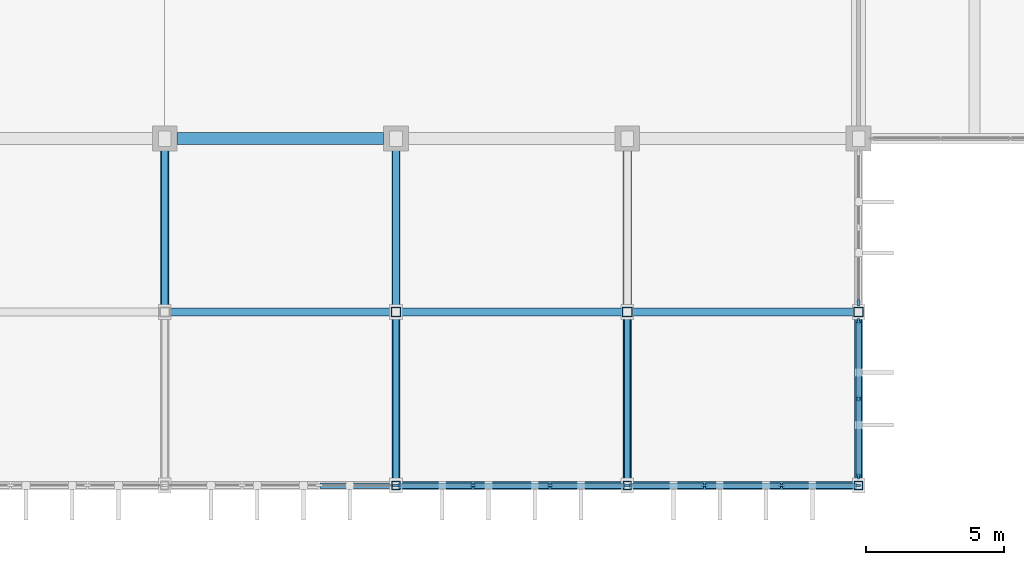
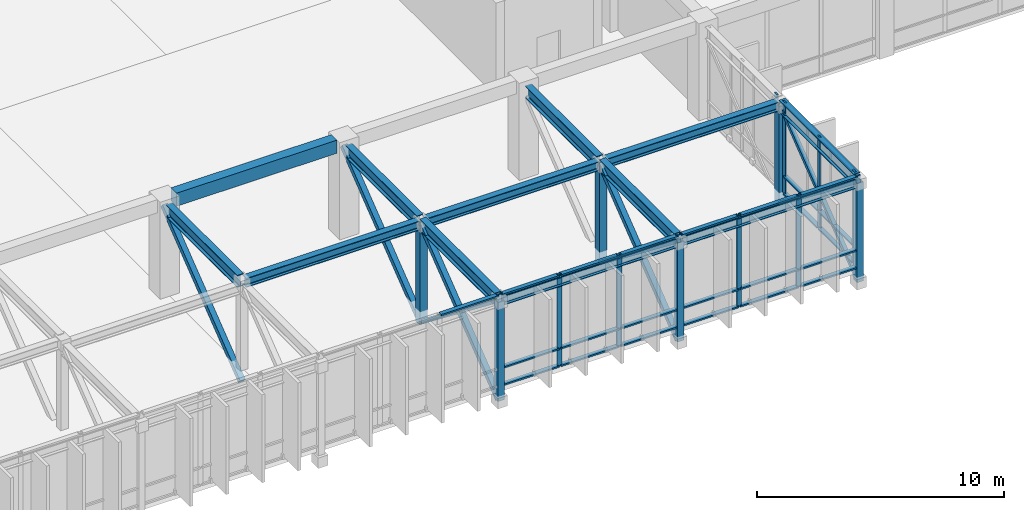
# One storey, part 12 of 51: 52 members, 12 beams, 5 elements without a shape of their own.
"""IFC4 building model written with IfcOpenShell, lengths in metres."""

from ifc_helpers import new_model, si_unit, direction, frame, origin, origin_2d, place, context, subcontext, project, spatial, rectangle, hollow_rectangle, i_section, extrude, material, material_profile, profile_set, type_object, element, aggregate, save


model = new_model("IFC4")

# Units and contexts
model_context = context("Model", 3, precision=1e-05, world=origin(), true_north=direction((0.0, 1.0)))
body_context = subcontext(model_context, "Body", "Model", "MODEL_VIEW")
ifc_project = project(units=[si_unit("LENGTHUNIT", "METRE"), si_unit("AREAUNIT", "SQUARE_METRE"), si_unit("VOLUMEUNIT", "CUBIC_METRE"), si_unit("PLANEANGLEUNIT", "RADIAN"), si_unit("MASSUNIT", "GRAM", prefix="KILO")], contexts=[model_context])

# Site, building, storey
site_placement = place(None, origin())
site = spatial("IfcSite", under=ifc_project, at=site_placement, CompositionType="ELEMENT")
building_placement = place(site_placement, origin())
building = spatial("IfcBuilding", under=site, at=building_placement, Name="Kenerak Square Central Library", CompositionType="ELEMENT")
storey_placement = place(building_placement, frame((0.0, 0.0, 9.60009765625)))
storey = spatial("IfcBuildingStorey", under=building, at=storey_placement, Name="L02", CompositionType="ELEMENT", Elevation=9.60009765625)

# Curtain wall, member
ifc_material_1 = material(Name="Anodised aluminium and solar-control low-E glazing", Category="aluminium")
curtain_wall_type_1 = type_object("IfcCurtainWallType", Name="Curtain Wall CW-V1-55x45 5550x4550", PredefinedType="USERDEFINED", material=ifc_material_1)
curtain_wall_1_placement = place(storey_placement, origin())
curtain_wall_1 = element("IfcCurtainWall", 1, at=curtain_wall_1_placement, inside=storey, type_object=curtain_wall_type_1, Name="Curtain Wall CW-V1-55x45 L02 0095", ObjectType="CURTAIN WALL", PredefinedType="USERDEFINED")
ifc_material_2 = material(Name="Anodised aluminium 6063-T6", Category="aluminium")
ifc_material_profile_1 = material_profile(ifc_material_2, rectangle(XDim=0.074951171875, YDim=0.219970703125, at=origin_2d()), Name="AL MULLION 75x220")
ifc_profile_set_1 = profile_set([ifc_material_profile_1], Name="Anodised aluminium 6063-T6")
member_type_1 = type_object("IfcMemberType", Name="Curtain Mullion CM-02 75x220", PredefinedType="MULLION", material=ifc_profile_set_1)
member_1_placement = place(storey_placement, frame((117.199951171875, 10.83740234375, 0.0), z_axis=(0.0, 0.0, 1.0), x_axis=(1.0, 0.0, 0.0)))
member_1 = element("IfcMember", 2, at=member_1_placement, type_object=member_type_1, Name="CW-V1-55x45 Mullion 3", PredefinedType="MULLION", context=body_context, shape_type="SweptSolid", body=[
    extrude(rectangle(XDim=0.074951171875, YDim=0.219970703125, at=origin_2d()), origin(), (0.0, 0.0, 1.0), 4.5498046875),
])
aggregate(curtain_wall_1, [member_1])

# Curtain wall, members
curtain_wall_type_2 = type_object("IfcCurtainWallType", Name="Curtain Wall CW-V1-57x45 5700x4550", PredefinedType="USERDEFINED", material=ifc_material_1)
curtain_wall_2_placement = place(storey_placement, origin())
curtain_wall_2 = element("IfcCurtainWall", 3, at=curtain_wall_2_placement, inside=storey, type_object=curtain_wall_type_2, Name="Curtain Wall CW-V1-57x45 L02 0096", ObjectType="CURTAIN WALL", PredefinedType="USERDEFINED")
member_2_placement = place(storey_placement, frame((117.199951171875, 10.16259765625, 0.0), z_axis=(0.0, 0.0, 1.0), x_axis=(1.0, 0.0, 0.0)))
member_2 = element("IfcMember", 4, at=member_2_placement, type_object=member_type_1, Name="CW-V1-57x45 Mullion 1", PredefinedType="MULLION", context=body_context, shape_type="SweptSolid", body=[
    extrude(rectangle(XDim=0.074951171875, YDim=0.219970703125, at=origin_2d()), origin(), (0.0, 0.0, 1.0), 4.5498046875),
])
member_3_placement = place(storey_placement, frame((117.199951171875, 7.35009765625, 0.0), z_axis=(0.0, 0.0, 1.0), x_axis=(1.0, 0.0, 0.0)))
member_3 = element("IfcMember", 5, at=member_3_placement, type_object=member_type_1, Name="CW-V1-57x45 Mullion 2", PredefinedType="MULLION", context=body_context, shape_type="SweptSolid", body=[
    extrude(rectangle(XDim=0.074951171875, YDim=0.219970703125, at=origin_2d()), origin(), (0.0, 0.0, 1.0), 4.5498046875),
])
member_4_placement = place(storey_placement, frame((117.199951171875, 4.53759765625, 0.0), z_axis=(0.0, 0.0, 1.0), x_axis=(1.0, 0.0, 0.0)))
member_4 = element("IfcMember", 6, at=member_4_placement, type_object=member_type_1, Name="CW-V1-57x45 Mullion 3", PredefinedType="MULLION", context=body_context, shape_type="SweptSolid", body=[
    extrude(rectangle(XDim=0.074951171875, YDim=0.219970703125, at=origin_2d()), origin(), (0.0, 0.0, 1.0), 4.5498046875),
])

curtain_wall_type_3 = type_object("IfcCurtainWallType", Name="Curtain Wall CW-V1-84x45 8400x4550", PredefinedType="USERDEFINED", material=ifc_material_1)
curtain_wall_3_placement = place(storey_placement, origin())
curtain_wall_3 = element("IfcCurtainWall", 7, at=curtain_wall_3_placement, inside=storey, type_object=curtain_wall_type_3, Name="Curtain Wall CW-V1-84x45 L02 0097", ObjectType="CURTAIN WALL", PredefinedType="USERDEFINED")
member_5_placement = place(storey_placement, frame((117.16259765625, 4.199951171875, 0.0), z_axis=(0.0, 0.0, 1.0), x_axis=(0.0, -1.0, 0.0)))
member_5 = element("IfcMember", 8, at=member_5_placement, type_object=member_type_1, Name="CW-V1-84x45 Mullion 1", PredefinedType="MULLION", context=body_context, shape_type="SweptSolid", body=[
    extrude(rectangle(XDim=0.074951171875, YDim=0.219970703125, at=origin_2d()), origin(), (0.0, 0.0, 1.0), 4.5498046875),
])
member_6_placement = place(storey_placement, frame((114.39990234375, 4.199951171875, 0.0), z_axis=(0.0, 0.0, 1.0), x_axis=(0.0, -1.0, 0.0)))
member_6 = element("IfcMember", 9, at=member_6_placement, type_object=member_type_1, Name="CW-V1-84x45 Mullion 2", PredefinedType="MULLION", context=body_context, shape_type="SweptSolid", body=[
    extrude(rectangle(XDim=0.074951171875, YDim=0.219970703125, at=origin_2d()), origin(), (0.0, 0.0, 1.0), 4.5498046875),
])
member_7_placement = place(storey_placement, frame((111.60009765625, 4.199951171875, 0.0), z_axis=(0.0, 0.0, 1.0), x_axis=(0.0, -1.0, 0.0)))
member_7 = element("IfcMember", 10, at=member_7_placement, type_object=member_type_1, Name="CW-V1-84x45 Mullion 3", PredefinedType="MULLION", context=body_context, shape_type="SweptSolid", body=[
    extrude(rectangle(XDim=0.074951171875, YDim=0.219970703125, at=origin_2d()), origin(), (0.0, 0.0, 1.0), 4.5498046875),
])
member_8_placement = place(storey_placement, frame((108.83740234375, 4.199951171875, 0.0), z_axis=(0.0, 0.0, 1.0), x_axis=(0.0, -1.0, 0.0)))
member_8 = element("IfcMember", 11, at=member_8_placement, type_object=member_type_1, Name="CW-V1-84x45 Mullion 4", PredefinedType="MULLION", context=body_context, shape_type="SweptSolid", body=[
    extrude(rectangle(XDim=0.074951171875, YDim=0.219970703125, at=origin_2d()), origin(), (0.0, 0.0, 1.0), 4.5498046875),
])

curtain_wall_4_placement = place(storey_placement, origin())
curtain_wall_4 = element("IfcCurtainWall", 12, at=curtain_wall_4_placement, inside=storey, type_object=curtain_wall_type_3, Name="Curtain Wall CW-V1-84x45 L02 0098", ObjectType="CURTAIN WALL", PredefinedType="USERDEFINED")
member_9_placement = place(storey_placement, frame((108.762451171875, 4.199951171875, 0.0), z_axis=(0.0, 0.0, 1.0), x_axis=(0.0, -1.0, 0.0)))
member_9 = element("IfcMember", 13, at=member_9_placement, type_object=member_type_1, Name="CW-V1-84x45 Mullion 1", PredefinedType="MULLION", context=body_context, shape_type="SweptSolid", body=[
    extrude(rectangle(XDim=0.074951171875, YDim=0.219970703125, at=origin_2d()), origin(), (0.0, 0.0, 1.0), 4.5498046875),
])
member_10_placement = place(storey_placement, frame((106.0, 4.199951171875, 0.0), z_axis=(0.0, 0.0, 1.0), x_axis=(0.0, -1.0, 0.0)))
member_10 = element("IfcMember", 14, at=member_10_placement, type_object=member_type_1, Name="CW-V1-84x45 Mullion 2", PredefinedType="MULLION", context=body_context, shape_type="SweptSolid", body=[
    extrude(rectangle(XDim=0.074951171875, YDim=0.219970703125, at=origin_2d()), origin(), (0.0, 0.0, 1.0), 4.5498046875),
])
member_11_placement = place(storey_placement, frame((103.199951171875, 4.199951171875, 0.0), z_axis=(0.0, 0.0, 1.0), x_axis=(0.0, -1.0, 0.0)))
member_11 = element("IfcMember", 15, at=member_11_placement, type_object=member_type_1, Name="CW-V1-84x45 Mullion 3", PredefinedType="MULLION", context=body_context, shape_type="SweptSolid", body=[
    extrude(rectangle(XDim=0.074951171875, YDim=0.219970703125, at=origin_2d()), origin(), (0.0, 0.0, 1.0), 4.5498046875),
])
member_12_placement = place(storey_placement, frame((100.4375, 4.199951171875, 0.0), z_axis=(0.0, 0.0, 1.0), x_axis=(0.0, -1.0, 0.0)))
member_12 = element("IfcMember", 16, at=member_12_placement, type_object=member_type_1, Name="CW-V1-84x45 Mullion 4", PredefinedType="MULLION", context=body_context, shape_type="SweptSolid", body=[
    extrude(rectangle(XDim=0.074951171875, YDim=0.219970703125, at=origin_2d()), origin(), (0.0, 0.0, 1.0), 4.5498046875),
])

# Curtain wall, member
curtain_wall_5_placement = place(storey_placement, origin())
curtain_wall_5 = element("IfcCurtainWall", 17, at=curtain_wall_5_placement, inside=storey, type_object=curtain_wall_type_3, Name="Curtain Wall CW-V1-84x45 L02 0099", ObjectType="CURTAIN WALL", PredefinedType="USERDEFINED")
member_13_placement = place(storey_placement, frame((100.362548828125, 4.199951171875, 0.0), z_axis=(0.0, 0.0, 1.0), x_axis=(0.0, -1.0, 0.0)))
member_13 = element("IfcMember", 18, at=member_13_placement, type_object=member_type_1, Name="CW-V1-84x45 Mullion 1", PredefinedType="MULLION", context=body_context, shape_type="SweptSolid", body=[
    extrude(rectangle(XDim=0.074951171875, YDim=0.219970703125, at=origin_2d()), origin(), (0.0, 0.0, 1.0), 4.5498046875),
])

# Member
ifc_material_profile_2 = material_profile(ifc_material_2, rectangle(XDim=0.199951171875, YDim=0.074951171875, at=origin_2d()), Name="AL TRANSOM 200x75")
ifc_profile_set_2 = profile_set([ifc_material_profile_2], Name="Anodised aluminium 6063-T6")
member_type_2 = type_object("IfcMemberType", Name="Curtain Transom CT-12 200x75", PredefinedType="USERDEFINED", material=ifc_profile_set_2)
member_14_placement = place(storey_placement, frame((117.199951171875, 10.125, 0.037353515625), z_axis=(0.0, -1.0, 0.0), x_axis=(1.0, 0.0, 0.0)))
member_14 = element("IfcMember", 19, at=member_14_placement, type_object=member_type_2, Name="CW-V1-57x45 Transom 1.1", ObjectType="TRANSOM", PredefinedType="USERDEFINED", context=body_context, shape_type="SweptSolid", body=[
    extrude(rectangle(XDim=0.199951171875, YDim=0.074951171875, at=origin_2d()), origin(), (0.0, 0.0, 1.0), 2.737548828125),
])

member_15_placement = place(storey_placement, frame((117.199951171875, 10.125, 0.89990234375), z_axis=(0.0, -1.0, 0.0), x_axis=(1.0, 0.0, 0.0)))
member_15 = element("IfcMember", 20, at=member_15_placement, type_object=member_type_2, Name="CW-V1-57x45 Transom 1.2", ObjectType="TRANSOM", PredefinedType="USERDEFINED", context=body_context, shape_type="SweptSolid", body=[
    extrude(rectangle(XDim=0.199951171875, YDim=0.074951171875, at=origin_2d()), origin(), (0.0, 0.0, 1.0), 2.737548828125),
])

member_16_placement = place(storey_placement, frame((117.199951171875, 10.125, 4.512451171875), z_axis=(0.0, -1.0, 0.0), x_axis=(1.0, 0.0, 0.0)))
member_16 = element("IfcMember", 21, at=member_16_placement, type_object=member_type_2, Name="CW-V1-57x45 Transom 1.3", ObjectType="TRANSOM", PredefinedType="USERDEFINED", context=body_context, shape_type="SweptSolid", body=[
    extrude(rectangle(XDim=0.199951171875, YDim=0.074951171875, at=origin_2d()), origin(), (0.0, 0.0, 1.0), 2.737548828125),
])

member_17_placement = place(storey_placement, frame((117.199951171875, 7.3125, 0.037353515625), z_axis=(0.0, -1.0, 0.0), x_axis=(1.0, 0.0, 0.0)))
member_17 = element("IfcMember", 22, at=member_17_placement, type_object=member_type_2, Name="CW-V1-57x45 Transom 2.1", ObjectType="TRANSOM", PredefinedType="USERDEFINED", context=body_context, shape_type="SweptSolid", body=[
    extrude(rectangle(XDim=0.199951171875, YDim=0.074951171875, at=origin_2d()), origin(), (0.0, 0.0, 1.0), 2.737548828125),
])

member_18_placement = place(storey_placement, frame((117.199951171875, 7.3125, 0.89990234375), z_axis=(0.0, -1.0, 0.0), x_axis=(1.0, 0.0, 0.0)))
member_18 = element("IfcMember", 23, at=member_18_placement, type_object=member_type_2, Name="CW-V1-57x45 Transom 2.2", ObjectType="TRANSOM", PredefinedType="USERDEFINED", context=body_context, shape_type="SweptSolid", body=[
    extrude(rectangle(XDim=0.199951171875, YDim=0.074951171875, at=origin_2d()), origin(), (0.0, 0.0, 1.0), 2.737548828125),
])

member_19_placement = place(storey_placement, frame((117.199951171875, 7.3125, 4.512451171875), z_axis=(0.0, -1.0, 0.0), x_axis=(1.0, 0.0, 0.0)))
member_19 = element("IfcMember", 24, at=member_19_placement, type_object=member_type_2, Name="CW-V1-57x45 Transom 2.3", ObjectType="TRANSOM", PredefinedType="USERDEFINED", context=body_context, shape_type="SweptSolid", body=[
    extrude(rectangle(XDim=0.199951171875, YDim=0.074951171875, at=origin_2d()), origin(), (0.0, 0.0, 1.0), 2.737548828125),
])

aggregate(curtain_wall_2, [member_2, member_3, member_4, member_14, member_15, member_16, member_17, member_18, member_19])

member_20_placement = place(storey_placement, frame((117.125, 4.199951171875, 0.037353515625), z_axis=(-1.0, 0.0, 0.0), x_axis=(0.0, -1.0, 0.0)))
member_20 = element("IfcMember", 25, at=member_20_placement, type_object=member_type_2, Name="CW-V1-84x45 Transom 1.1", ObjectType="TRANSOM", PredefinedType="USERDEFINED", context=body_context, shape_type="SweptSolid", body=[
    extrude(rectangle(XDim=0.199951171875, YDim=0.074951171875, at=origin_2d()), origin(), (0.0, 0.0, 1.0), 2.6875),
])

member_21_placement = place(storey_placement, frame((117.125, 4.199951171875, 0.89990234375), z_axis=(-1.0, 0.0, 0.0), x_axis=(0.0, -1.0, 0.0)))
member_21 = element("IfcMember", 26, at=member_21_placement, type_object=member_type_2, Name="CW-V1-84x45 Transom 1.2", ObjectType="TRANSOM", PredefinedType="USERDEFINED", context=body_context, shape_type="SweptSolid", body=[
    extrude(rectangle(XDim=0.199951171875, YDim=0.074951171875, at=origin_2d()), origin(), (0.0, 0.0, 1.0), 2.6875),
])

member_22_placement = place(storey_placement, frame((117.125, 4.199951171875, 4.512451171875), z_axis=(-1.0, 0.0, 0.0), x_axis=(0.0, -1.0, 0.0)))
member_22 = element("IfcMember", 27, at=member_22_placement, type_object=member_type_2, Name="CW-V1-84x45 Transom 1.3", ObjectType="TRANSOM", PredefinedType="USERDEFINED", context=body_context, shape_type="SweptSolid", body=[
    extrude(rectangle(XDim=0.199951171875, YDim=0.074951171875, at=origin_2d()), origin(), (0.0, 0.0, 1.0), 2.6875),
])

member_23_placement = place(storey_placement, frame((114.362548828125, 4.199951171875, 0.037353515625), z_axis=(-1.0, 0.0, 0.0), x_axis=(0.0, -1.0, 0.0)))
member_23 = element("IfcMember", 28, at=member_23_placement, type_object=member_type_2, Name="CW-V1-84x45 Transom 2.1", ObjectType="TRANSOM", PredefinedType="USERDEFINED", context=body_context, shape_type="SweptSolid", body=[
    extrude(rectangle(XDim=0.199951171875, YDim=0.074951171875, at=origin_2d()), origin(), (0.0, 0.0, 1.0), 2.72509765625),
])

member_24_placement = place(storey_placement, frame((114.362548828125, 4.199951171875, 0.89990234375), z_axis=(-1.0, 0.0, 0.0), x_axis=(0.0, -1.0, 0.0)))
member_24 = element("IfcMember", 29, at=member_24_placement, type_object=member_type_2, Name="CW-V1-84x45 Transom 2.2", ObjectType="TRANSOM", PredefinedType="USERDEFINED", context=body_context, shape_type="SweptSolid", body=[
    extrude(rectangle(XDim=0.199951171875, YDim=0.074951171875, at=origin_2d()), origin(), (0.0, 0.0, 1.0), 2.72509765625),
])

member_25_placement = place(storey_placement, frame((114.362548828125, 4.199951171875, 4.512451171875), z_axis=(-1.0, 0.0, 0.0), x_axis=(0.0, -1.0, 0.0)))
member_25 = element("IfcMember", 30, at=member_25_placement, type_object=member_type_2, Name="CW-V1-84x45 Transom 2.3", ObjectType="TRANSOM", PredefinedType="USERDEFINED", context=body_context, shape_type="SweptSolid", body=[
    extrude(rectangle(XDim=0.199951171875, YDim=0.074951171875, at=origin_2d()), origin(), (0.0, 0.0, 1.0), 2.72509765625),
])

member_26_placement = place(storey_placement, frame((111.5625, 4.199951171875, 0.037353515625), z_axis=(-1.0, 0.0, 0.0), x_axis=(0.0, -1.0, 0.0)))
member_26 = element("IfcMember", 31, at=member_26_placement, type_object=member_type_2, Name="CW-V1-84x45 Transom 3.1", ObjectType="TRANSOM", PredefinedType="USERDEFINED", context=body_context, shape_type="SweptSolid", body=[
    extrude(rectangle(XDim=0.199951171875, YDim=0.074951171875, at=origin_2d()), origin(), (0.0, 0.0, 1.0), 2.6875),
])

member_27_placement = place(storey_placement, frame((111.5625, 4.199951171875, 0.89990234375), z_axis=(-1.0, 0.0, 0.0), x_axis=(0.0, -1.0, 0.0)))
member_27 = element("IfcMember", 32, at=member_27_placement, type_object=member_type_2, Name="CW-V1-84x45 Transom 3.2", ObjectType="TRANSOM", PredefinedType="USERDEFINED", context=body_context, shape_type="SweptSolid", body=[
    extrude(rectangle(XDim=0.199951171875, YDim=0.074951171875, at=origin_2d()), origin(), (0.0, 0.0, 1.0), 2.6875),
])

member_28_placement = place(storey_placement, frame((111.5625, 4.199951171875, 4.512451171875), z_axis=(-1.0, 0.0, 0.0), x_axis=(0.0, -1.0, 0.0)))
member_28 = element("IfcMember", 33, at=member_28_placement, type_object=member_type_2, Name="CW-V1-84x45 Transom 3.3", ObjectType="TRANSOM", PredefinedType="USERDEFINED", context=body_context, shape_type="SweptSolid", body=[
    extrude(rectangle(XDim=0.199951171875, YDim=0.074951171875, at=origin_2d()), origin(), (0.0, 0.0, 1.0), 2.6875),
])

aggregate(curtain_wall_3, [member_5, member_6, member_7, member_8, member_20, member_21, member_22, member_23, member_24, member_25, member_26, member_27, member_28])

member_29_placement = place(storey_placement, frame((108.72509765625, 4.199951171875, 0.037353515625), z_axis=(-1.0, 0.0, 0.0), x_axis=(0.0, -1.0, 0.0)))
member_29 = element("IfcMember", 34, at=member_29_placement, type_object=member_type_2, Name="CW-V1-84x45 Transom 1.1", ObjectType="TRANSOM", PredefinedType="USERDEFINED", context=body_context, shape_type="SweptSolid", body=[
    extrude(rectangle(XDim=0.199951171875, YDim=0.074951171875, at=origin_2d()), origin(), (0.0, 0.0, 1.0), 2.6875),
])

member_30_placement = place(storey_placement, frame((108.72509765625, 4.199951171875, 0.89990234375), z_axis=(-1.0, 0.0, 0.0), x_axis=(0.0, -1.0, 0.0)))
member_30 = element("IfcMember", 35, at=member_30_placement, type_object=member_type_2, Name="CW-V1-84x45 Transom 1.2", ObjectType="TRANSOM", PredefinedType="USERDEFINED", context=body_context, shape_type="SweptSolid", body=[
    extrude(rectangle(XDim=0.199951171875, YDim=0.074951171875, at=origin_2d()), origin(), (0.0, 0.0, 1.0), 2.6875),
])

member_31_placement = place(storey_placement, frame((108.72509765625, 4.199951171875, 4.512451171875), z_axis=(-1.0, 0.0, 0.0), x_axis=(0.0, -1.0, 0.0)))
member_31 = element("IfcMember", 36, at=member_31_placement, type_object=member_type_2, Name="CW-V1-84x45 Transom 1.3", ObjectType="TRANSOM", PredefinedType="USERDEFINED", context=body_context, shape_type="SweptSolid", body=[
    extrude(rectangle(XDim=0.199951171875, YDim=0.074951171875, at=origin_2d()), origin(), (0.0, 0.0, 1.0), 2.6875),
])

member_32_placement = place(storey_placement, frame((105.96240234375, 4.199951171875, 0.037353515625), z_axis=(-1.0, 0.0, 0.0), x_axis=(0.0, -1.0, 0.0)))
member_32 = element("IfcMember", 37, at=member_32_placement, type_object=member_type_2, Name="CW-V1-84x45 Transom 2.1", ObjectType="TRANSOM", PredefinedType="USERDEFINED", context=body_context, shape_type="SweptSolid", body=[
    extrude(rectangle(XDim=0.199951171875, YDim=0.074951171875, at=origin_2d()), origin(), (0.0, 0.0, 1.0), 2.724853515625),
])

member_33_placement = place(storey_placement, frame((105.96240234375, 4.199951171875, 0.89990234375), z_axis=(-1.0, 0.0, 0.0), x_axis=(0.0, -1.0, 0.0)))
member_33 = element("IfcMember", 38, at=member_33_placement, type_object=member_type_2, Name="CW-V1-84x45 Transom 2.2", ObjectType="TRANSOM", PredefinedType="USERDEFINED", context=body_context, shape_type="SweptSolid", body=[
    extrude(rectangle(XDim=0.199951171875, YDim=0.074951171875, at=origin_2d()), origin(), (0.0, 0.0, 1.0), 2.724853515625),
])

member_34_placement = place(storey_placement, frame((105.96240234375, 4.199951171875, 4.512451171875), z_axis=(-1.0, 0.0, 0.0), x_axis=(0.0, -1.0, 0.0)))
member_34 = element("IfcMember", 39, at=member_34_placement, type_object=member_type_2, Name="CW-V1-84x45 Transom 2.3", ObjectType="TRANSOM", PredefinedType="USERDEFINED", context=body_context, shape_type="SweptSolid", body=[
    extrude(rectangle(XDim=0.199951171875, YDim=0.074951171875, at=origin_2d()), origin(), (0.0, 0.0, 1.0), 2.724853515625),
])

member_35_placement = place(storey_placement, frame((103.16259765625, 4.199951171875, 0.037353515625), z_axis=(-1.0, 0.0, 0.0), x_axis=(0.0, -1.0, 0.0)))
member_35 = element("IfcMember", 40, at=member_35_placement, type_object=member_type_2, Name="CW-V1-84x45 Transom 3.1", ObjectType="TRANSOM", PredefinedType="USERDEFINED", context=body_context, shape_type="SweptSolid", body=[
    extrude(rectangle(XDim=0.199951171875, YDim=0.074951171875, at=origin_2d()), origin(), (0.0, 0.0, 1.0), 2.6875),
])

member_36_placement = place(storey_placement, frame((103.16259765625, 4.199951171875, 0.89990234375), z_axis=(-1.0, 0.0, 0.0), x_axis=(0.0, -1.0, 0.0)))
member_36 = element("IfcMember", 41, at=member_36_placement, type_object=member_type_2, Name="CW-V1-84x45 Transom 3.2", ObjectType="TRANSOM", PredefinedType="USERDEFINED", context=body_context, shape_type="SweptSolid", body=[
    extrude(rectangle(XDim=0.199951171875, YDim=0.074951171875, at=origin_2d()), origin(), (0.0, 0.0, 1.0), 2.6875),
])

member_37_placement = place(storey_placement, frame((103.16259765625, 4.199951171875, 4.512451171875), z_axis=(-1.0, 0.0, 0.0), x_axis=(0.0, -1.0, 0.0)))
member_37 = element("IfcMember", 42, at=member_37_placement, type_object=member_type_2, Name="CW-V1-84x45 Transom 3.3", ObjectType="TRANSOM", PredefinedType="USERDEFINED", context=body_context, shape_type="SweptSolid", body=[
    extrude(rectangle(XDim=0.199951171875, YDim=0.074951171875, at=origin_2d()), origin(), (0.0, 0.0, 1.0), 2.6875),
])

aggregate(curtain_wall_4, [member_9, member_10, member_11, member_12, member_29, member_30, member_31, member_32, member_33, member_34, member_35, member_36, member_37])

member_38_placement = place(storey_placement, frame((100.324951171875, 4.199951171875, 4.512451171875), z_axis=(-1.0, 0.0, 0.0), x_axis=(0.0, -1.0, 0.0)))
member_38 = element("IfcMember", 43, at=member_38_placement, type_object=member_type_2, Name="CW-V1-84x45 Transom 1.3", ObjectType="TRANSOM", PredefinedType="USERDEFINED", context=body_context, shape_type="SweptSolid", body=[
    extrude(rectangle(XDim=0.199951171875, YDim=0.074951171875, at=origin_2d()), origin(), (0.0, 0.0, 1.0), 2.6875),
])

aggregate(curtain_wall_5, [member_13, member_38])

# Beams
ifc_material_3 = material(Name="Concrete C40/50", Category="concrete")
ifc_material_profile_3 = material_profile(ifc_material_3, rectangle(XDim=0.449951171875, YDim=0.64990234375, at=origin_2d()), Name="RC 450x650")
ifc_profile_set_3 = profile_set([ifc_material_profile_3], Name="Concrete C40/50")
beam_type_1 = type_object("IfcBeamType", Name="Mezzanine Frame Beam B-06 RC 450x650 C40/50", PredefinedType="BEAM", material=ifc_profile_set_3)
beam_1_placement = place(storey_placement, frame((92.449951171875, 16.800048828125, 4.474853515625), z_axis=(1.0, 0.0, 0.0), x_axis=(0.0, 1.0, 0.0)))
element("IfcBeam", 44, at=beam_1_placement, inside=storey, type_object=beam_type_1, Name="Beam B-06 L02 1194", PredefinedType="BEAM", context=body_context, shape_type="SweptSolid", body=[
    extrude(rectangle(XDim=0.449951171875, YDim=0.64990234375, at=origin_2d()), origin(), (0.0, 0.0, 1.0), 7.5),
])
ifc_material_4 = material(Name="Steel S355", Category="steel")
ifc_material_profile_4 = material_profile(ifc_material_4, i_section(OverallWidth=0.300048828125, OverallDepth=0.449951171875, WebThickness=0.013916015625, FlangeThickness=0.02587890625, FilletRadius=0.027099609375, at=origin_2d()), Name="HEB 450")
ifc_profile_set_4 = profile_set([ifc_material_profile_4], Name="Steel S355")
beam_type_2 = type_object("IfcBeamType", Name="Overhang Cross Girder SB-04 HEB 450 S355", PredefinedType="BEAM", material=ifc_profile_set_4)
beam_2_placement = place(storey_placement, frame((100.52001953125, 4.199951171875, 4.25), z_axis=(1.0, 0.0, 0.0), x_axis=(0.0, 1.0, 0.0)))
element("IfcBeam", 45, at=beam_2_placement, inside=storey, type_object=beam_type_2, Name="Overhang Cross Girder SB-04 L02 1724", PredefinedType="BEAM", context=body_context, shape_type="SweptSolid", body=[
    extrude(i_section(OverallWidth=0.300048828125, OverallDepth=0.449951171875, WebThickness=0.013916015625, FlangeThickness=0.02587890625, FilletRadius=0.027099609375, at=origin_2d()), origin(), (0.0, 0.0, 1.0), 8.159912109375),
])
beam_3_placement = place(storey_placement, frame((108.919921875, 4.199951171875, 4.25), z_axis=(1.0, 0.0, 0.0), x_axis=(0.0, 1.0, 0.0)))
element("IfcBeam", 46, at=beam_3_placement, inside=storey, type_object=beam_type_2, Name="Overhang Cross Girder SB-04 L02 1725", PredefinedType="BEAM", context=body_context, shape_type="SweptSolid", body=[
    extrude(i_section(OverallWidth=0.300048828125, OverallDepth=0.449951171875, WebThickness=0.013916015625, FlangeThickness=0.02587890625, FilletRadius=0.027099609375, at=origin_2d()), origin(), (0.0, 0.0, 1.0), 8.16015625),
])
for number, where, z_axis, x_axis, name in (
    (47, (92.1201171875, 10.5, 4.25), (1.0, 0.0, 0.0), (0.0, 1.0, 0.0), "Overhang Cross Girder SB-04 L02 1730"),
    (48, (100.52001953125, 10.5, 4.25), (1.0, 0.0, 0.0), (0.0, 1.0, 0.0), "Overhang Cross Girder SB-04 L02 1731"),
):
    element("IfcBeam", number, at=place(storey_placement, frame(where, z_axis=z_axis, x_axis=x_axis)), inside=storey, type_object=beam_type_2, Name=name, PredefinedType="BEAM", context=body_context, shape_type="SweptSolid", body=[
        extrude(i_section(OverallWidth=0.300048828125, OverallDepth=0.449951171875, WebThickness=0.013916015625, FlangeThickness=0.02587890625, FilletRadius=0.027099609375, at=origin_2d()), origin(), (0.0, 0.0, 1.0), 8.159912109375),
    ])
beam_4_placement = place(storey_placement, frame((108.919921875, 10.5, 4.25), z_axis=(1.0, 0.0, 0.0), x_axis=(0.0, 1.0, 0.0)))
element("IfcBeam", 49, at=beam_4_placement, inside=storey, type_object=beam_type_2, Name="Overhang Cross Girder SB-04 L02 1732", PredefinedType="BEAM", context=body_context, shape_type="SweptSolid", body=[
    extrude(i_section(OverallWidth=0.300048828125, OverallDepth=0.449951171875, WebThickness=0.013916015625, FlangeThickness=0.02587890625, FilletRadius=0.027099609375, at=origin_2d()), origin(), (0.0, 0.0, 1.0), 8.16015625),
])
ifc_material_profile_5 = material_profile(ifc_material_4, i_section(OverallWidth=0.300048828125, OverallDepth=0.60009765625, WebThickness=0.015380859375, FlangeThickness=0.030029296875, FilletRadius=0.027099609375, at=origin_2d()), Name="HEB 600")
ifc_profile_set_5 = profile_set([ifc_material_profile_5], Name="Steel S355")
beam_type_3 = type_object("IfcBeamType", Name="Overhang Truss Chord SB-02 HEB 600 S355", PredefinedType="BEAM", material=ifc_profile_set_5)
beam_5_placement = place(storey_placement, frame((92.0, 10.6201171875, 4.25), z_axis=(0.0, 1.0, 0.0), x_axis=(-1.0, 0.0, 0.0)))
element("IfcBeam", 50, at=beam_5_placement, inside=storey, type_object=beam_type_3, Name="Wall-Truss Chord 5 L02 070", PredefinedType="BEAM", context=body_context, shape_type="SweptSolid", body=[
    extrude(i_section(OverallWidth=0.300048828125, OverallDepth=0.60009765625, WebThickness=0.015380859375, FlangeThickness=0.030029296875, FilletRadius=0.027099609375, at=origin_2d()), origin(), (0.0, 0.0, 1.0), 5.77978515625),
])
beam_6_placement = place(storey_placement, frame((100.39990234375, 4.320068359375, 4.25), z_axis=(0.0, 1.0, 0.0), x_axis=(-1.0, 0.0, 0.0)))
element("IfcBeam", 51, at=beam_6_placement, inside=storey, type_object=beam_type_3, Name="Wall-Truss Chord 6 L02 085", PredefinedType="BEAM", context=body_context, shape_type="SweptSolid", body=[
    extrude(i_section(OverallWidth=0.300048828125, OverallDepth=0.60009765625, WebThickness=0.015380859375, FlangeThickness=0.030029296875, FilletRadius=0.027099609375, at=origin_2d()), origin(), (0.0, 0.0, 1.0), 6.059814453125),
])
beam_7_placement = place(storey_placement, frame((100.39990234375, 10.6201171875, 4.25), z_axis=(0.0, 1.0, 0.0), x_axis=(-1.0, 0.0, 0.0)))
element("IfcBeam", 52, at=beam_7_placement, inside=storey, type_object=beam_type_3, Name="Wall-Truss Chord 6 L02 086", PredefinedType="BEAM", context=body_context, shape_type="SweptSolid", body=[
    extrude(i_section(OverallWidth=0.300048828125, OverallDepth=0.60009765625, WebThickness=0.015380859375, FlangeThickness=0.030029296875, FilletRadius=0.027099609375, at=origin_2d()), origin(), (0.0, 0.0, 1.0), 5.77978515625),
])
beam_8_placement = place(storey_placement, frame((108.800048828125, 4.320068359375, 4.25), z_axis=(0.0, 1.0, 0.0), x_axis=(-1.0, 0.0, 0.0)))
element("IfcBeam", 53, at=beam_8_placement, inside=storey, type_object=beam_type_3, Name="Wall-Truss Chord 7 L02 101", PredefinedType="BEAM", context=body_context, shape_type="SweptSolid", body=[
    extrude(i_section(OverallWidth=0.300048828125, OverallDepth=0.60009765625, WebThickness=0.015380859375, FlangeThickness=0.030029296875, FilletRadius=0.027099609375, at=origin_2d()), origin(), (0.0, 0.0, 1.0), 6.059814453125),
])
beam_9_placement = place(storey_placement, frame((108.800048828125, 10.6201171875, 4.25), z_axis=(0.0, 1.0, 0.0), x_axis=(-1.0, 0.0, 0.0)))
element("IfcBeam", 54, at=beam_9_placement, inside=storey, type_object=beam_type_3, Name="Wall-Truss Chord 7 L02 102", PredefinedType="BEAM", context=body_context, shape_type="SweptSolid", body=[
    extrude(i_section(OverallWidth=0.300048828125, OverallDepth=0.60009765625, WebThickness=0.015380859375, FlangeThickness=0.030029296875, FilletRadius=0.027099609375, at=origin_2d()), origin(), (0.0, 0.0, 1.0), 5.77978515625),
])
beam_10_placement = place(storey_placement, frame((117.199951171875, 4.320068359375, 4.25), z_axis=(0.0, 1.0, 0.0), x_axis=(-1.0, 0.0, 0.0)))
element("IfcBeam", 55, at=beam_10_placement, inside=storey, type_object=beam_type_3, Name="Wall-Truss Chord 8 L02 117", PredefinedType="BEAM", context=body_context, shape_type="SweptSolid", body=[
    extrude(i_section(OverallWidth=0.300048828125, OverallDepth=0.60009765625, WebThickness=0.015380859375, FlangeThickness=0.030029296875, FilletRadius=0.027099609375, at=origin_2d()), origin(), (0.0, 0.0, 1.0), 6.059814453125),
])

# Members
ifc_material_profile_6 = material_profile(ifc_material_4, hollow_rectangle(XDim=0.179931640625, YDim=0.179931640625, WallThickness=0.008056640625, at=origin_2d()), Name="SHS 180x180x8.0")
ifc_profile_set_6 = profile_set([ifc_material_profile_6], Name="Steel S355")
member_type_3 = type_object("IfcMemberType", Name="Overhang Web Tie TM-06 SHS 180x180x8 S355", PredefinedType="STRUT", material=ifc_profile_set_6)
member_39_placement = place(storey_placement, frame((117.199951171875, 4.199951171875, -0.650146484375), z_axis=(0.0, 0.78934562896, 0.613949084242), x_axis=(-1.0, 0.0, 0.0)))
element("IfcMember", 56, at=member_39_placement, inside=storey, type_object=member_type_3, Name="Wall-Truss Diagonal 8 L02 123", PredefinedType="STRUT", context=body_context, shape_type="SweptSolid", body=[
    extrude(hollow_rectangle(XDim=0.179931640625, YDim=0.179931640625, WallThickness=0.008056640625, at=origin_2d()), origin(), (0.0, 0.0, 1.0), 7.9814453125),
])
ifc_material_profile_7 = material_profile(ifc_material_4, hollow_rectangle(XDim=0.199951171875, YDim=0.199951171875, WallThickness=0.010009765625, at=origin_2d()), Name="SHS 200x200x10.0")
ifc_profile_set_7 = profile_set([ifc_material_profile_7], Name="Steel S355")
member_type_4 = type_object("IfcMemberType", Name="Secondary Truss Brace TM-04 SHS 200x200x10 S355", PredefinedType="BRACE", material=ifc_profile_set_7)
for number, where, z_axis, x_axis, name in (
    (57, (100.39990234375, 4.199951171875, 4.25), (0.0, 0.78934562896, -0.613949084242), (-1.0, 0.0, 0.0), "Overhang Counter Brace TM-04 06"),
    (58, (108.800048828125, 4.199951171875, 4.25), (0.0, 0.78934562896, -0.613949084242), (-1.0, 0.0, 0.0), "Overhang Counter Brace TM-04 07"),
    (59, (117.199951171875, 4.199951171875, 4.25), (0.0, 0.78934562896, -0.613949084242), (-1.0, 0.0, 0.0), "Overhang Counter Brace TM-04 08"),
):
    element("IfcMember", number, at=place(storey_placement, frame(where, z_axis=z_axis, x_axis=x_axis)), inside=storey, type_object=member_type_4, Name=name, PredefinedType="BRACE", context=body_context, shape_type="SweptSolid", body=[
        extrude(hollow_rectangle(XDim=0.199951171875, YDim=0.199951171875, WallThickness=0.010009765625, at=origin_2d()), origin(), (0.0, 0.0, 1.0), 7.9814453125),
    ])
ifc_material_profile_8 = material_profile(ifc_material_4, hollow_rectangle(XDim=0.35009765625, YDim=0.35009765625, WallThickness=0.01611328125, at=origin_2d()), Name="SHS 350x350x16.0")
ifc_profile_set_8 = profile_set([ifc_material_profile_8], Name="Steel S355")
member_type_5 = type_object("IfcMemberType", Name="Wall-Truss Heavy Post TM-01 SHS 350x350x16 S355", PredefinedType="STRUT", material=ifc_profile_set_8)
for number, where, z_axis, x_axis, name in (
    (60, (100.39990234375, 10.5, -0.650146484375), (0.0, 0.0, 1.0), (1.0, 0.0, 0.0), "Wall-Truss Post 6 L02 090"),
    (61, (108.800048828125, 10.5, -0.650146484375), (0.0, 0.0, 1.0), (1.0, 0.0, 0.0), "Wall-Truss Post 7 L02 106"),
    (62, (117.199951171875, 10.5, -0.650146484375), (0.0, 0.0, 1.0), (1.0, 0.0, 0.0), "Wall-Truss Post 8 L02 122"),
):
    element("IfcMember", number, at=place(storey_placement, frame(where, z_axis=z_axis, x_axis=x_axis)), inside=storey, type_object=member_type_5, Name=name, PredefinedType="STRUT", context=body_context, shape_type="SweptSolid", body=[
        extrude(hollow_rectangle(XDim=0.35009765625, YDim=0.35009765625, WallThickness=0.01611328125, at=origin_2d()), origin(), (0.0, 0.0, 1.0), 4.900146484375),
    ])
ifc_material_profile_9 = material_profile(ifc_material_4, hollow_rectangle(XDim=0.300048828125, YDim=0.300048828125, WallThickness=0.012451171875, at=origin_2d()), Name="SHS 300x300x12.5")
ifc_profile_set_9 = profile_set([ifc_material_profile_9], Name="Steel S355")
member_type_6 = type_object("IfcMemberType", Name="Wall-Truss Vertical Post TM-02 SHS 300x300x12.5 S355", PredefinedType="STRUT", material=ifc_profile_set_9)
for number, where, z_axis, x_axis, name in (
    (63, (100.39990234375, 4.199951171875, -0.650146484375), (0.0, 0.0, 1.0), (1.0, 0.0, 0.0), "Wall-Truss Post 6 L02 089"),
    (64, (108.800048828125, 4.199951171875, -0.650146484375), (0.0, 0.0, 1.0), (1.0, 0.0, 0.0), "Wall-Truss Post 7 L02 105"),
    (65, (117.199951171875, 4.199951171875, -0.650146484375), (0.0, 0.0, 1.0), (1.0, 0.0, 0.0), "Wall-Truss Post 8 L02 121"),
):
    element("IfcMember", number, at=place(storey_placement, frame(where, z_axis=z_axis, x_axis=x_axis)), inside=storey, type_object=member_type_6, Name=name, PredefinedType="STRUT", context=body_context, shape_type="SweptSolid", body=[
        extrude(hollow_rectangle(XDim=0.300048828125, YDim=0.300048828125, WallThickness=0.012451171875, at=origin_2d()), origin(), (0.0, 0.0, 1.0), 4.900146484375),
    ])
ifc_material_profile_10 = material_profile(ifc_material_4, hollow_rectangle(XDim=0.25, YDim=0.25, WallThickness=0.010009765625, at=origin_2d()), Name="SHS 250x250x10.0")
ifc_profile_set_10 = profile_set([ifc_material_profile_10], Name="Steel S355")
member_type_7 = type_object("IfcMemberType", Name="Wall-Truss Web Diagonal TM-03 SHS 250x250x10 S355", PredefinedType="BRACE", material=ifc_profile_set_10)
for number, where, z_axis, x_axis, name in (
    (66, (92.0, 10.5, -0.650146484375), (0.0, 0.78934562896, 0.613949084242), (-1.0, 0.0, 0.0), "Wall-Truss Diagonal 5 L02 076"),
    (67, (100.39990234375, 4.199951171875, -0.650146484375), (0.0, 0.78934562896, 0.613949084242), (-1.0, 0.0, 0.0), "Wall-Truss Diagonal 6 L02 091"),
    (68, (100.39990234375, 10.5, -0.650146484375), (0.0, 0.78934562896, 0.613949084242), (-1.0, 0.0, 0.0), "Wall-Truss Diagonal 6 L02 092"),
    (69, (108.800048828125, 4.199951171875, -0.650146484375), (0.0, 0.78934562896, 0.613949084242), (-1.0, 0.0, 0.0), "Wall-Truss Diagonal 7 L02 107"),
):
    element("IfcMember", number, at=place(storey_placement, frame(where, z_axis=z_axis, x_axis=x_axis)), inside=storey, type_object=member_type_7, Name=name, PredefinedType="BRACE", context=body_context, shape_type="SweptSolid", body=[
        extrude(hollow_rectangle(XDim=0.25, YDim=0.25, WallThickness=0.010009765625, at=origin_2d()), origin(), (0.0, 0.0, 1.0), 7.9814453125),
    ])

save(model, "model.ifc")
